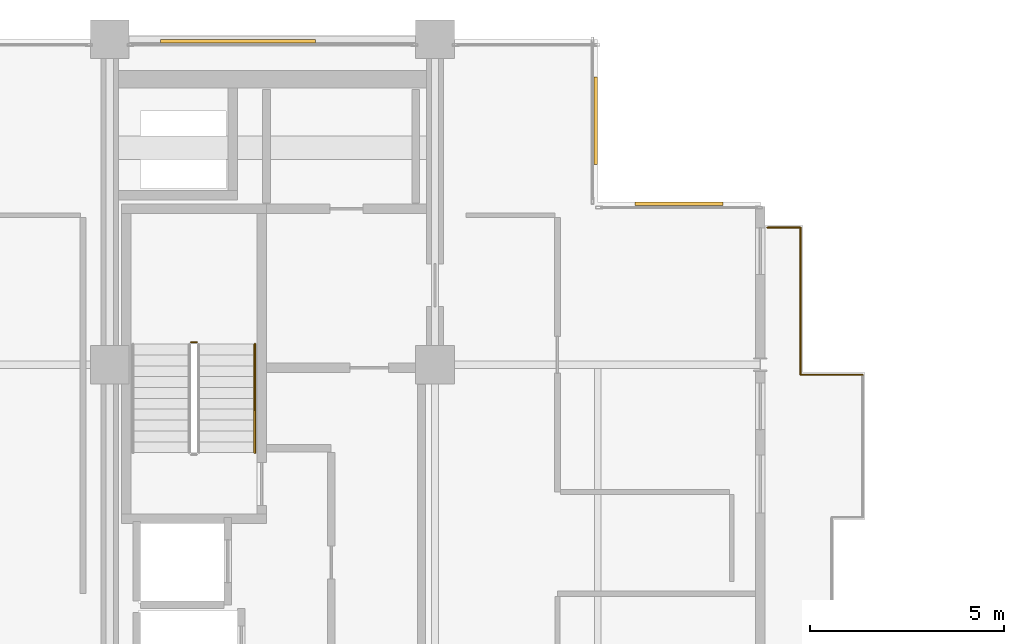
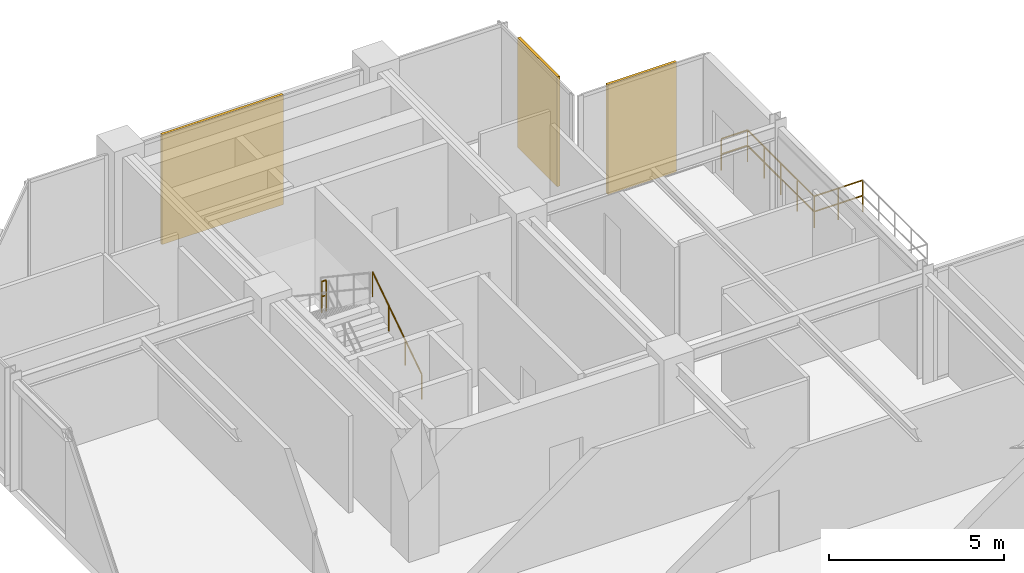
# One storey, part 25 of 25: 5 railings, 3 coverings.
"""IFC4 building model written with IfcOpenShell, lengths in metres."""

from ifc_helpers import new_model, si_unit, direction, frame, origin, origin_2d, place, context, subcontext, project, spatial, rectangle, circle, extrude, material, layer, layer_set, type_object, element, save


model = new_model("IFC4")

# Units and contexts
model_context = context("Model", 3, precision=1e-05, world=origin(), true_north=direction((0.0, 1.0)))
body_context = subcontext(model_context, "Body", "Model", "MODEL_VIEW")
ifc_project = project(units=[si_unit("LENGTHUNIT", "METRE"), si_unit("AREAUNIT", "SQUARE_METRE"), si_unit("VOLUMEUNIT", "CUBIC_METRE"), si_unit("PLANEANGLEUNIT", "RADIAN"), si_unit("MASSUNIT", "GRAM", prefix="KILO")], contexts=[model_context])

# Site, building, storey
site_placement = place(None, origin())
site = spatial("IfcSite", under=ifc_project, at=site_placement, CompositionType="ELEMENT")
building_placement = place(site_placement, origin())
building = spatial("IfcBuilding", under=site, at=building_placement, Name="Nerrivon Quay Data Exchange", CompositionType="ELEMENT")
storey_placement = place(building_placement, frame((0.0, 0.0, 237.0)))
storey = spatial("IfcBuildingStorey", under=building, at=storey_placement, Name="L56", CompositionType="ELEMENT", Elevation=237.0)

# Coverings
ifc_material_1 = material(Name="Architectural terracotta ceramic", Category="masonry")
ifc_layer = layer(ifc_material_1, 0.090087890625)
ifc_layer_set = layer_set([ifc_layer], Name="Architectural terracotta ceramic")
covering_type = type_object("IfcCoveringType", Name="COV-SCR-TERR", PredefinedType="CLADDING", material=ifc_layer_set)
covering_placement = place(storey_placement, frame((11.7119140625, 41.955078125, 0.0), z_axis=(0.0, 0.0, 1.0), x_axis=(1.0, 0.0, 0.0)))
element("IfcCovering", 1, at=covering_placement, inside=storey, type_object=covering_type, Name="L56 Perforated Terracotta SOLAR SCREEN Cassette", PredefinedType="CLADDING", context=body_context, shape_type="SweptSolid", body=[
    extrude(rectangle(XDim=3.99609375, YDim=0.090087890625, at=origin_2d()), origin(), (0.0, 0.0, 1.0), 3.824951171875),
])
for number, where, z_axis, x_axis, name in (
    (2, (20.955078125, 39.89990234375, 0.0), (0.0, 0.0, 1.0), (0.0, -1.0, 0.0), "L56 Perforated Terracotta SOLAR SCREEN Cassette"),
    (3, (23.10009765625, 37.7548828125, 0.0), (0.0, 0.0, 1.0), (1.0, 0.0, 0.0), "L56 Perforated Terracotta SOLAR SCREEN Cassette"),
):
    element("IfcCovering", number, at=place(storey_placement, frame(where, z_axis=z_axis, x_axis=x_axis)), inside=storey, type_object=covering_type, Name=name, PredefinedType="CLADDING", context=body_context, shape_type="SweptSolid", body=[
        extrude(rectangle(XDim=2.26806640625, YDim=0.090087890625, at=origin_2d()), origin(), (0.0, 0.0, 1.0), 3.824951171875),
    ])

# Railings
ifc_material_2 = material(Name="Steel Grade C350L0 (350 MPa)", Category="steel")
railing_type_1 = type_object("IfcRailingType", Name="RAIL-GUARD-GR2", PredefinedType="BALUSTRADE", material=ifc_material_2)
railing_1_placement = place(storey_placement, frame((25.3798828125, 37.139892578125, 0.0)))
element("IfcRailing", 4, at=railing_1_placement, inside=storey, type_object=railing_type_1, Name="L56 Verandah Balcony Guard 1.3 1", PredefinedType="BALUSTRADE", context=body_context, shape_type="SweptSolid", body=[
    extrude(circle(Radius=0.02392578125, at=origin_2d()), frame((0.0, 0.0, 1.09619140625), z_axis=(1.0, 0.0, 0.0), x_axis=(0.0, 1.0, 0.0)), (0.0, 0.0, 1.0), 0.860107421875),
    extrude(circle(Radius=0.02392578125, at=origin_2d()), frame((0.0, 0.0, 0.56005859375), z_axis=(1.0, 0.0, 0.0), x_axis=(0.0, 1.0, 0.0)), (0.0, 0.0, 1.0), 0.860107421875),
    extrude(circle(Radius=0.02099609375, at=origin_2d()), origin(), (0.0, 0.0, 1.0), 1.072021484375),
    extrude(circle(Radius=0.02099609375, at=origin_2d()), frame((0.860107421875, 0.0, 0.0)), (0.0, 0.0, 1.0), 1.072021484375),
])
railing_2_placement = place(storey_placement, frame((26.239990234375, 37.139892578125, 0.0)))
element("IfcRailing", 5, at=railing_2_placement, inside=storey, type_object=railing_type_1, Name="L56 Verandah Balcony Guard 1.4 1", PredefinedType="BALUSTRADE", context=body_context, shape_type="SweptSolid", body=[
    extrude(circle(Radius=0.02392578125, at=origin_2d()), frame((0.0, 0.0, 1.09619140625), z_axis=(0.0, -1.0, 0.0), x_axis=(1.0, 0.0, 0.0)), (0.0, 0.0, 1.0), 3.7998046875),
    extrude(circle(Radius=0.02392578125, at=origin_2d()), frame((0.0, 0.0, 0.56005859375), z_axis=(0.0, -1.0, 0.0), x_axis=(1.0, 0.0, 0.0)), (0.0, 0.0, 1.0), 3.7998046875),
    extrude(circle(Radius=0.02099609375, at=origin_2d()), origin(), (0.0, 0.0, 1.0), 1.072021484375),
    extrude(circle(Radius=0.02099609375, at=origin_2d()), frame((0.0, -0.949951171875, 0.0)), (0.0, 0.0, 1.0), 1.072021484375),
    extrude(circle(Radius=0.02099609375, at=origin_2d()), frame((0.0, -1.89990234375, 0.0)), (0.0, 0.0, 1.0), 1.072021484375),
    extrude(circle(Radius=0.02099609375, at=origin_2d()), frame((0.0, -2.849853515625, 0.0)), (0.0, 0.0, 1.0), 1.072021484375),
    extrude(circle(Radius=0.02099609375, at=origin_2d()), frame((0.0, -3.7998046875, 0.0)), (0.0, 0.0, 1.0), 1.072021484375),
])
railing_3_placement = place(storey_placement, frame((26.239990234375, 33.340087890625, 0.0)))
element("IfcRailing", 6, at=railing_3_placement, inside=storey, type_object=railing_type_1, Name="L56 Verandah Balcony Guard 1.5 1", PredefinedType="BALUSTRADE", context=body_context, shape_type="SweptSolid", body=[
    extrude(circle(Radius=0.02392578125, at=origin_2d()), frame((0.0, 0.0, 1.09619140625), z_axis=(1.0, 0.0, 0.0), x_axis=(0.0, 1.0, 0.0)), (0.0, 0.0, 1.0), 1.60009765625),
    extrude(circle(Radius=0.02392578125, at=origin_2d()), frame((0.0, 0.0, 0.56005859375), z_axis=(1.0, 0.0, 0.0), x_axis=(0.0, 1.0, 0.0)), (0.0, 0.0, 1.0), 1.60009765625),
    extrude(circle(Radius=0.02099609375, at=origin_2d()), origin(), (0.0, 0.0, 1.0), 1.072021484375),
    extrude(circle(Radius=0.02099609375, at=origin_2d()), frame((0.800048828125, 0.0, 0.0)), (0.0, 0.0, 1.0), 1.072021484375),
    extrude(circle(Radius=0.02099609375, at=origin_2d()), frame((1.60009765625, 0.0, 0.0)), (0.0, 0.0, 1.0), 1.072021484375),
])
railing_type_2 = type_object("IfcRailingType", Name="RAIL-HAND-HR1", PredefinedType="HANDRAIL", material=ifc_material_2)
railing_4_placement = place(storey_placement, frame((12.14990234375, 31.330078125, 0.186279296875)))
element("IfcRailing", 7, at=railing_4_placement, inside=storey, type_object=railing_type_2, Name="L56 ST01 stair handrail 1", PredefinedType="HANDRAIL", context=body_context, shape_type="SweptSolid", body=[
    extrude(circle(Radius=0.02392578125, at=origin_2d()), frame((0.0, 0.0, 0.8759765625), z_axis=(0.0, 0.832429786209, 0.554130536094), x_axis=(-1.0, 0.0, 0.0)), (0.0, 0.0, 1.0), 3.363525390625),
    extrude(circle(Radius=0.02099609375, at=origin_2d()), origin(), (0.0, 0.0, 1.0), 0.851806640625),
    extrude(circle(Radius=0.02099609375, at=origin_2d()), frame((0.0, 0.933349609375, 0.621337890625)), (0.0, 0.0, 1.0), 0.851806640625),
    extrude(circle(Radius=0.02099609375, at=origin_2d()), frame((0.0, 1.866455078125, 1.242431640625)), (0.0, 0.0, 1.0), 0.851806640625),
    extrude(circle(Radius=0.02099609375, at=origin_2d()), frame((0.0, 2.7998046875, 1.86376953125)), (0.0, 0.0, 1.0), 0.851806640625),
])
railing_type_3 = type_object("IfcRailingType", Name="RAIL-STAIR-GR1", PredefinedType="BALUSTRADE", material=ifc_material_2)
railing_5_placement = place(storey_placement, frame((10.64990234375, 34.179931640625, 2.050048828125)))
element("IfcRailing", 8, at=railing_5_placement, inside=storey, type_object=railing_type_3, Name="L56 ST01 stair guard 2", PredefinedType="BALUSTRADE", context=body_context, shape_type="SweptSolid", body=[
    extrude(circle(Radius=0.02392578125, at=origin_2d()), frame((0.0, 0.0, 1.076171875), z_axis=(-1.0, 0.0, 0.0), x_axis=(0.0, -1.0, 0.0)), (0.0, 0.0, 1.0), 0.14990234375),
    extrude(circle(Radius=0.02392578125, at=origin_2d()), frame((0.0, 0.0, 0.550048828125), z_axis=(-1.0, 0.0, 0.0), x_axis=(0.0, -1.0, 0.0)), (0.0, 0.0, 1.0), 0.14990234375),
    extrude(circle(Radius=0.02099609375, at=origin_2d()), origin(), (0.0, 0.0, 1.0), 1.052001953125),
    extrude(circle(Radius=0.02099609375, at=origin_2d()), frame((-0.14990234375, 0.0, 0.0)), (0.0, 0.0, 1.0), 1.052001953125),
])

save(model, "model.ifc")
